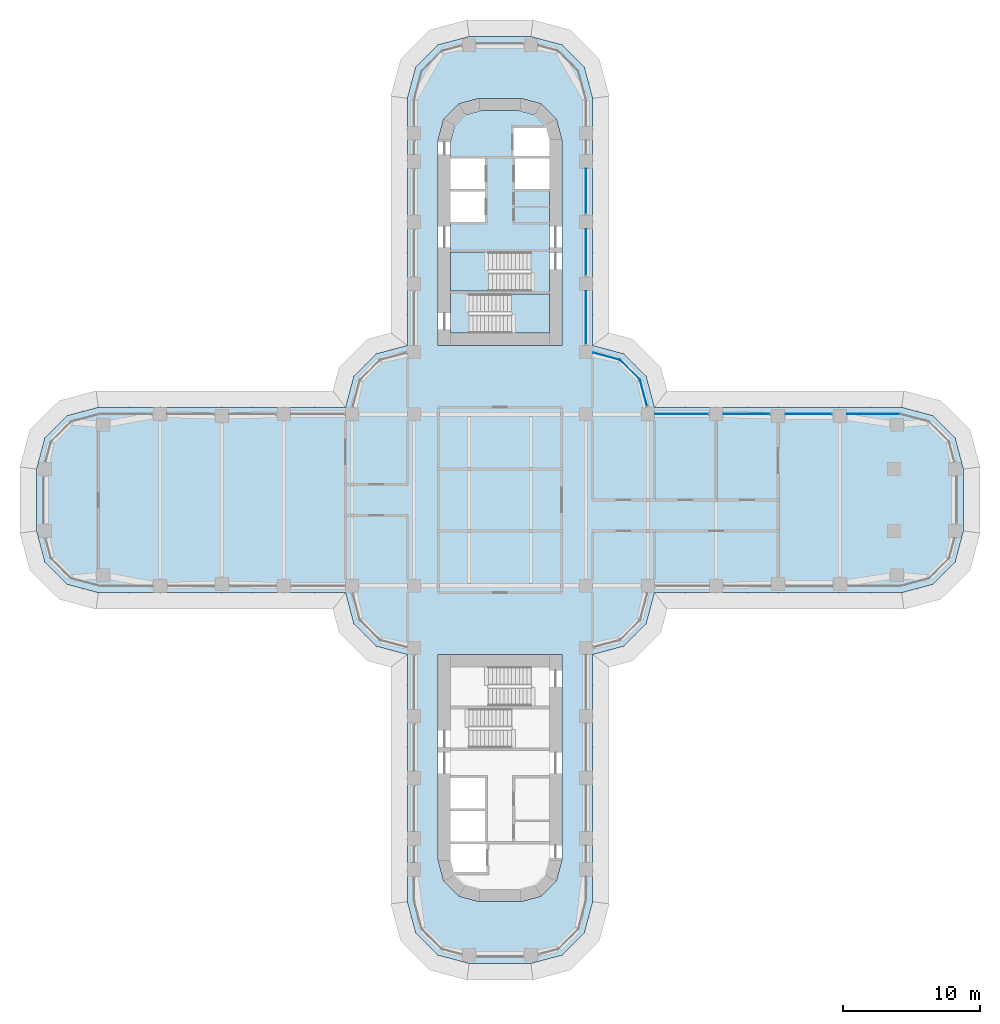
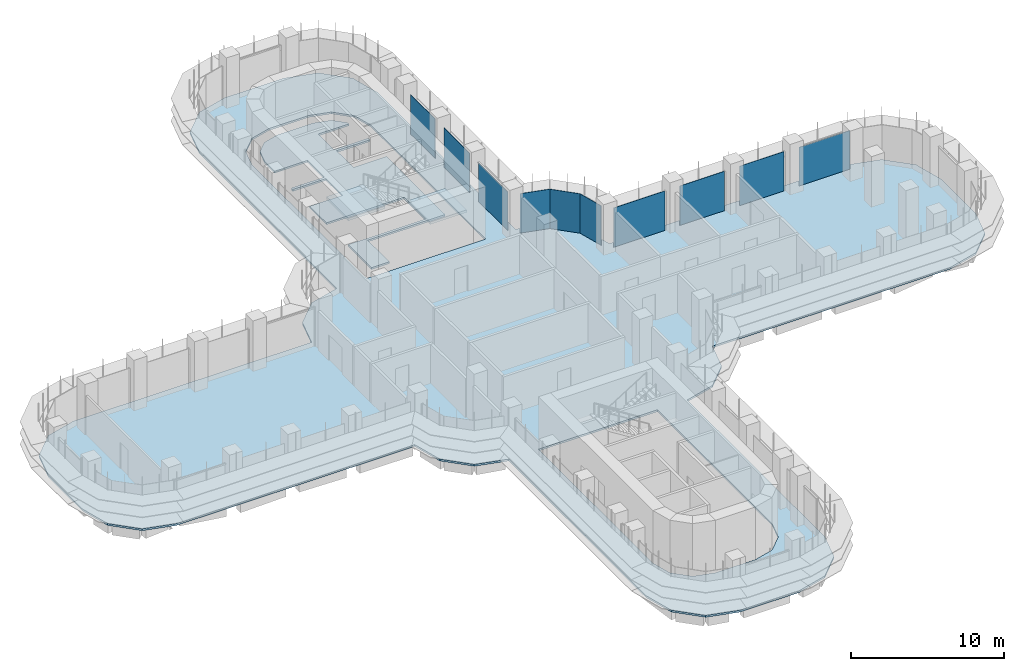
# One storey, part 15 of 23: 10 plates, 4 slabs, 7 elements without a shape of their own.
"""IFC4 building model written with IfcOpenShell, lengths in metres."""

from ifc_helpers import new_model, si_unit, direction, frame, origin, place, context, subcontext, project, spatial, polyline, outline, extrude, source, transform, mapped, material, layer, layer_set, type_object, element, aggregate, save


model = new_model("IFC4")

# Units and contexts
model_context = context("Model", 3, precision=1e-05, world=origin(), true_north=direction((0.0, 1.0)))
body_context = subcontext(model_context, "Body", "Model", "MODEL_VIEW")
ifc_project = project(units=[si_unit("LENGTHUNIT", "METRE"), si_unit("AREAUNIT", "SQUARE_METRE"), si_unit("VOLUMEUNIT", "CUBIC_METRE"), si_unit("PLANEANGLEUNIT", "RADIAN"), si_unit("MASSUNIT", "GRAM", prefix="KILO")], contexts=[model_context])

# Site, building, storey
site_placement = place(None, origin())
site = spatial("IfcSite", under=ifc_project, at=site_placement, CompositionType="ELEMENT")
building_placement = place(site_placement, origin())
building = spatial("IfcBuilding", under=site, at=building_placement, Name="Zarbagh Exchange Tower", CompositionType="ELEMENT")
storey_placement = place(building_placement, frame((0.0, 0.0, 69.0)))
storey = spatial("IfcBuildingStorey", under=building, at=storey_placement, Name="L15", CompositionType="ELEMENT", Elevation=69.0)

# Slabs
ifc_material_1 = material(Name="Concrete C40/50", Category="concrete")
ifc_layer_1 = layer(ifc_material_1, 0.14990234375)
ifc_layer_set_1 = layer_set([ifc_layer_1], Name="Composite floor slab 150 C40/50")
slab_type_1 = type_object("IfcSlabType", Name="Composite floor slab 150 C40/50", PredefinedType="FLOOR", material=ifc_layer_set_1)
slab_1_placement = place(storey_placement, frame((0.0, 0.0, -0.14990234375)))
element("IfcSlab", 1, at=slab_1_placement, inside=storey, type_object=slab_type_1, Name="S5 composite floor slab", PredefinedType="FLOOR", context=body_context, shape_type="SweptSolid", body=[
    extrude(outline(polyline([(-2.25, -33.75), (-4.5, -33.147216796875), (-6.147216796875, -31.5), (-6.75, -29.25), (-6.75, -11.25), (-9.0, -10.647216796875), (-10.647216796875, -9.0), (-11.25, -6.75), (-29.25, -6.75), (-31.5, -6.147216796875), (-33.147216796875, -4.5), (-33.75, -2.25), (-33.75, 2.25), (-33.147216796875, 4.5), (-31.5, 6.147216796875), (-29.25, 6.75), (-11.25, 6.75), (-10.647216796875, 9.0), (-9.0, 10.647216796875), (-6.75, 11.25), (-6.75, 29.25), (-6.147216796875, 31.5), (-4.5, 33.147216796875), (-2.25, 33.75), (2.25, 33.75), (4.5, 33.147216796875), (6.147216796875, 31.5), (6.75, 29.25), (6.75, 11.25), (9.0, 10.647216796875), (10.647216796875, 9.0), (11.25, 6.75), (29.25, 6.75), (31.5, 6.147216796875), (33.147216796875, 4.5), (33.75, 2.25), (33.75, -2.25), (33.147216796875, -4.5), (31.5, -6.147216796875), (29.25, -6.75), (11.25, -6.75), (10.647216796875, -9.0), (9.0, -10.647216796875), (6.75, -11.25), (6.75, -29.25), (6.147216796875, -31.5), (4.5, -33.147216796875), (2.25, -33.75), (-2.25, -33.75)]), holes=[polyline([(4.5, 11.25), (4.5, 26.25), (4.09814453125, 27.75), (3.0, 28.84814453125), (1.5, 29.25), (-1.5, 29.25), (-3.0, 28.84814453125), (-4.09814453125, 27.75), (-4.5, 26.25), (-4.5, 11.25), (4.5, 11.25)]), polyline([(-1.5, -29.25), (1.5, -29.25), (3.0, -28.84814453125), (4.09814453125, -27.75), (4.5, -26.25), (4.5, -11.25), (-4.5, -11.25), (-4.5, -26.25), (-4.09814453125, -27.75), (-3.0, -28.84814453125), (-1.5, -29.25)])]), origin(), (0.0, 0.0, 1.0), 0.14990234375),
])
ifc_layer_2 = layer(ifc_material_1, 0.14990234375)
ifc_layer_set_2 = layer_set([ifc_layer_2], Name="Core floor slab 150 C40/50")
slab_type_2 = type_object("IfcSlabType", Name="Core floor slab 150 C40/50", PredefinedType="FLOOR", material=ifc_layer_set_2)
slab_2_placement = place(storey_placement, frame((0.0, 0.0, -0.14990234375)))
element("IfcSlab", 2, at=slab_2_placement, inside=storey, type_object=slab_type_2, Name="S17 core N", PredefinedType="FLOOR", context=body_context, shape_type="SweptSolid", body=[
    extrude(outline(polyline([(-3.60009765625, 12.14990234375), (-3.60009765625, 15.199951171875), (2.25, 15.199951171875), (2.25, 18.050048828125), (-3.60009765625, 18.050048828125), (-3.60009765625, 20.25), (-1.10009765625, 20.25), (-1.10009765625, 22.449951171875), (-3.60009765625, 22.449951171875), (-3.60009765625, 22.64990234375), (-1.10009765625, 22.64990234375), (-1.10009765625, 24.85009765625), (-3.60009765625, 24.85009765625), (-3.60009765625, 26.131591796875), (-3.291259765625, 27.2841796875), (-2.5341796875, 28.041259765625), (-1.381591796875, 28.35009765625), (1.381591796875, 28.35009765625), (2.5341796875, 28.041259765625), (3.291259765625, 27.2841796875), (3.340576171875, 27.10009765625), (1.0, 27.10009765625), (1.0, 25.050048828125), (3.60009765625, 25.050048828125), (3.60009765625, 24.85009765625), (1.10009765625, 24.85009765625), (1.10009765625, 22.64990234375), (3.60009765625, 22.64990234375), (3.60009765625, 15.0), (-2.25, 15.0), (-2.25, 12.14990234375), (-3.60009765625, 12.14990234375)])), origin(), (0.0, 0.0, 1.0), 0.14990234375),
])

# Stair, slab
stair_type = type_object("IfcStairType", Name="Exit stair two-flight half-turn", PredefinedType="HALF_TURN_STAIR", material=ifc_material_1)
stair_1_placement = place(storey_placement, origin())
stair_1 = element("IfcStair", 3, at=stair_1_placement, inside=storey, type_object=stair_type, Name="exit stair ST1", PredefinedType="HALF_TURN_STAIR")
ifc_layer_3 = layer(ifc_material_1, 0.199951171875)
ifc_layer_set_3 = layer_set([ifc_layer_3], Name="Stair landing 200 mm")
slab_type_3 = type_object("IfcSlabType", Name="Stair landing 200 mm", PredefinedType="LANDING", material=ifc_layer_set_3)
slab_3_placement = place(storey_placement, frame((0.0, 0.0, 1.89990234375)))
slab_3 = element("IfcSlab", 4, at=slab_3_placement, type_object=slab_type_3, Name="ST1 landing 1", PredefinedType="LANDING", context=body_context, shape_type="SweptSolid", body=[
    extrude(outline(polyline([(-0.830078125, 18.050048828125), (-3.60009765625, 18.050048828125), (-3.60009765625, 15.199951171875), (-0.830078125, 15.199951171875), (-0.830078125, 18.050048828125)])), origin(), (0.0, 0.0, 1.0), 0.2001953125),
])
aggregate(stair_1, [slab_3])

stair_2_placement = place(storey_placement, origin())
stair_2 = element("IfcStair", 5, at=stair_2_placement, inside=storey, type_object=stair_type, Name="exit stair ST2", PredefinedType="HALF_TURN_STAIR")
slab_4_placement = place(storey_placement, frame((0.0, 0.0, 1.89990234375)))
slab_4 = element("IfcSlab", 6, at=slab_4_placement, type_object=slab_type_3, Name="ST2 landing 1", PredefinedType="LANDING", context=body_context, shape_type="SweptSolid", body=[
    extrude(outline(polyline([(0.830078125, 12.14990234375), (3.60009765625, 12.14990234375), (3.60009765625, 15.0), (0.830078125, 15.0), (0.830078125, 12.14990234375)])), origin(), (0.0, 0.0, 1.0), 0.2001953125),
])
aggregate(stair_2, [slab_4])

# Curtain wall, plate
ifc_material_2 = material(Name="Anodised aluminium frame and glazing", Category="aluminium")
curtain_wall_type = type_object("IfcCurtainWallType", Name="CWA Ribbon glazing, lower zones", PredefinedType="NOTDEFINED", material=ifc_material_2)
curtain_wall_1_placement = place(storey_placement, origin())
curtain_wall_1 = element("IfcCurtainWall", 7, at=curtain_wall_1_placement, inside=storey, type_object=curtain_wall_type, Name="CWA18 curtain wall", PredefinedType="NOTDEFINED")
ifc_material_3 = material(Name="Low-e double glazed unit, 6+12+6 mm")
ifc_layer_4 = layer(ifc_material_3, 0.028076171875)
ifc_layer_set_4 = layer_set([ifc_layer_4], Name="PAA Glazing panel, Low-e double glazed unit, 6+12+6 mm")
plate_type = type_object("IfcPlateType", Name="PAA Glazing panel, Low-e double glazed unit, 6+12+6 mm", PredefinedType="CURTAIN_PANEL", material=ifc_layer_set_4)
shared_shape_1 = source(origin(), body_context, "Body", "SweptSolid", [
    extrude(outline(polyline([(0.0, -0.013916015625), (2.061279296875, -0.013916015625), (2.061279296875, 0.013916015625), (0.0, 0.013916015625), (0.0, -0.013916015625)])), origin(), (0.0, 0.0, 1.0), 3.14990234375),
])
placement = place(storey_placement, origin())
plate_1 = element("IfcPlate", 8, at=placement, type_object=plate_type, Name="CWA18 glazing panel 1.1", PredefinedType="CURTAIN_PANEL", context=body_context, shape_type="MappedRepresentation", body=[
    mapped(shared_shape_1, transform((10.19873046875, 8.7412109375, 0.0), x_axis=(-0.707106781187, 0.707106781187, 0.0), y_axis=(-0.707106781187, -0.707106781187, 0.0), z_axis=(0.0, 0.0, 1.0))),
])
aggregate(curtain_wall_1, [plate_1])

curtain_wall_2_placement = place(storey_placement, origin())
curtain_wall_2 = element("IfcCurtainWall", 9, at=curtain_wall_2_placement, inside=storey, type_object=curtain_wall_type, Name="CWA20 curtain wall", PredefinedType="NOTDEFINED")
shared_shape_2 = source(origin(), body_context, "Body", "SweptSolid", [
    extrude(outline(polyline([(0.0, -0.013916015625), (3.260009765625, -0.013916015625), (3.260009765625, 0.013916015625), (0.0, 0.013916015625), (0.0, -0.013916015625)])), origin(), (0.0, 0.0, 1.0), 3.14990234375),
])
plate_2 = element("IfcPlate", 10, at=placement, type_object=plate_type, Name="CWA20 glazing panel 3.1", PredefinedType="CURTAIN_PANEL", context=body_context, shape_type="MappedRepresentation", body=[
    mapped(shared_shape_2, transform((6.25, 20.85009765625, 0.0), x_axis=(0.0, 1.0, 0.0), y_axis=(-1.0, 0.0, 0.0), z_axis=(0.0, 0.0, 1.0))),
])

# Curtain wall, plates
curtain_wall_3_placement = place(storey_placement, origin())
curtain_wall_3 = element("IfcCurtainWall", 11, at=curtain_wall_3_placement, inside=storey, type_object=curtain_wall_type, Name="CWA16 curtain wall", PredefinedType="NOTDEFINED")
shared_shape_3 = source(origin(), body_context, "Body", "SweptSolid", [
    extrude(outline(polyline([(0.0, -0.013916015625), (3.360107421875, -0.013916015625), (3.360107421875, 0.013916015625), (0.0, 0.013916015625), (0.0, -0.013916015625)])), origin(), (0.0, 0.0, 1.0), 3.14990234375),
])
plate_3 = element("IfcPlate", 12, at=placement, type_object=plate_type, Name="CWA16 glazing panel 2.1", PredefinedType="CURTAIN_PANEL", context=body_context, shape_type="MappedRepresentation", body=[
    mapped(shared_shape_3, transform((24.14990234375, 6.25, 0.0), x_axis=(-1.0, 0.0, 0.0), y_axis=(0.0, -1.0, 0.0), z_axis=(0.0, 0.0, 1.0))),
])
plate_4 = element("IfcPlate", 13, at=placement, type_object=plate_type, Name="CWA16 glazing panel 3.1", PredefinedType="CURTAIN_PANEL", context=body_context, shape_type="MappedRepresentation", body=[
    mapped(shared_shape_3, transform((19.64990234375, 6.25, 0.0), x_axis=(-1.0, 0.0, 0.0), y_axis=(0.0, -1.0, 0.0), z_axis=(0.0, 0.0, 1.0))),
])

# Plate
plate_5 = element("IfcPlate", 14, at=placement, type_object=plate_type, Name="CWA20 glazing panel 2.1", PredefinedType="CURTAIN_PANEL", context=body_context, shape_type="MappedRepresentation", body=[
    mapped(shared_shape_3, transform((6.25, 16.35009765625, 0.0), x_axis=(0.0, 1.0, 0.0), y_axis=(-1.0, 0.0, 0.0), z_axis=(0.0, 0.0, 1.0))),
])

# Curtain wall, plate
curtain_wall_4_placement = place(storey_placement, origin())
curtain_wall_4 = element("IfcCurtainWall", 15, at=curtain_wall_4_placement, inside=storey, type_object=curtain_wall_type, Name="CWA17 curtain wall", PredefinedType="NOTDEFINED")
shared_shape_4 = source(origin(), body_context, "Body", "SweptSolid", [
    extrude(outline(polyline([(0.0, -0.013916015625), (1.9599609375, -0.013916015625), (1.9599609375, 0.013916015625), (0.0, 0.013916015625), (0.0, -0.013916015625)])), origin(), (0.0, 0.0, 1.0), 3.14990234375),
])
plate_6 = element("IfcPlate", 16, at=placement, type_object=plate_type, Name="CWA17 glazing panel 1.1", PredefinedType="CURTAIN_PANEL", context=body_context, shape_type="MappedRepresentation", body=[
    mapped(shared_shape_4, transform((10.7060546875, 6.847900390625, 0.0), x_axis=(-0.258824779902, 0.965924289636, 0.0), y_axis=(-0.965924289636, -0.258824779902, 0.0), z_axis=(0.0, 0.0, 1.0))),
])
aggregate(curtain_wall_4, [plate_6])

curtain_wall_5_placement = place(storey_placement, origin())
curtain_wall_5 = element("IfcCurtainWall", 17, at=curtain_wall_5_placement, inside=storey, type_object=curtain_wall_type, Name="CWA19 curtain wall", PredefinedType="NOTDEFINED")
shared_shape_5 = source(origin(), body_context, "Body", "SweptSolid", [
    extrude(outline(polyline([(0.0, -0.013916015625), (2.02001953125, -0.013916015625), (2.02001953125, 0.013916015625), (0.0, 0.013916015625), (0.0, -0.013916015625)])), origin(), (0.0, 0.0, 1.0), 3.14990234375),
])
plate_7 = element("IfcPlate", 18, at=placement, type_object=plate_type, Name="CWA19 glazing panel 1.1", PredefinedType="CURTAIN_PANEL", context=body_context, shape_type="MappedRepresentation", body=[
    mapped(shared_shape_5, transform((8.7412109375, 10.19873046875, 0.0), x_axis=(-0.965924289636, 0.258824779902, 0.0), y_axis=(-0.258824779902, -0.965924289636, 0.0), z_axis=(0.0, 0.0, 1.0))),
])
aggregate(curtain_wall_5, [plate_7])

# Plate
shared_shape_6 = source(origin(), body_context, "Body", "SweptSolid", [
    extrude(outline(polyline([(0.0, -0.013916015625), (3.860107421875, -0.013916015625), (3.860107421875, 0.013916015625), (0.0, 0.013916015625), (0.0, -0.013916015625)])), origin(), (0.0, 0.0, 1.0), 3.090087890625),
])
plate_8 = element("IfcPlate", 19, at=placement, type_object=plate_type, Name="CWA20 glazing panel 1.1", PredefinedType="CURTAIN_PANEL", context=body_context, shape_type="MappedRepresentation", body=[
    mapped(shared_shape_6, transform((6.25, 11.35009765625, 0.0), x_axis=(0.0, 1.0, 0.0), y_axis=(-1.0, 0.0, 0.0), z_axis=(0.0, 0.0, 1.0))),
])

aggregate(curtain_wall_2, [plate_8, plate_5, plate_2])

shared_shape_7 = source(origin(), body_context, "Body", "SweptSolid", [
    extrude(outline(polyline([(0.0, -0.013916015625), (3.834228515625, -0.013916015625), (3.834228515625, 0.013916015625), (0.0, 0.013916015625), (0.0, -0.013916015625)])), origin(), (0.0, 0.0, 1.0), 3.090087890625),
])
plate_9 = element("IfcPlate", 20, at=placement, type_object=plate_type, Name="CWA16 glazing panel 1.1", PredefinedType="CURTAIN_PANEL", context=body_context, shape_type="MappedRepresentation", body=[
    mapped(shared_shape_7, transform((29.124267578125, 6.25, 0.0), x_axis=(-1.0, 0.0, 0.0), y_axis=(0.0, -1.0, 0.0), z_axis=(0.0, 0.0, 1.0))),
])

shared_shape_8 = source(origin(), body_context, "Body", "SweptSolid", [
    extrude(outline(polyline([(0.0, -0.013916015625), (3.860107421875, -0.013916015625), (3.860107421875, 0.013916015625), (0.0, 0.013916015625), (0.0, -0.013916015625)])), origin(), (0.0, 0.0, 1.0), 3.14990234375),
])
plate_10 = element("IfcPlate", 21, at=placement, type_object=plate_type, Name="CWA16 glazing panel 4.1", PredefinedType="CURTAIN_PANEL", context=body_context, shape_type="MappedRepresentation", body=[
    mapped(shared_shape_8, transform((15.14990234375, 6.25, 0.0), x_axis=(-1.0, 0.0, 0.0), y_axis=(0.0, -1.0, 0.0), z_axis=(0.0, 0.0, 1.0))),
])

aggregate(curtain_wall_3, [plate_9, plate_3, plate_4, plate_10])

save(model, "model.ifc")
